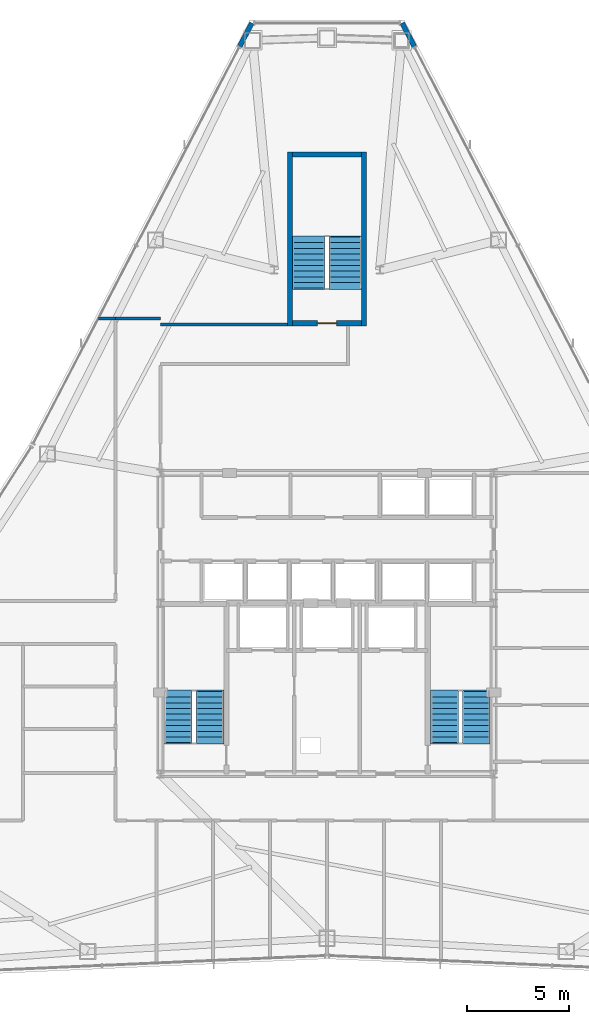
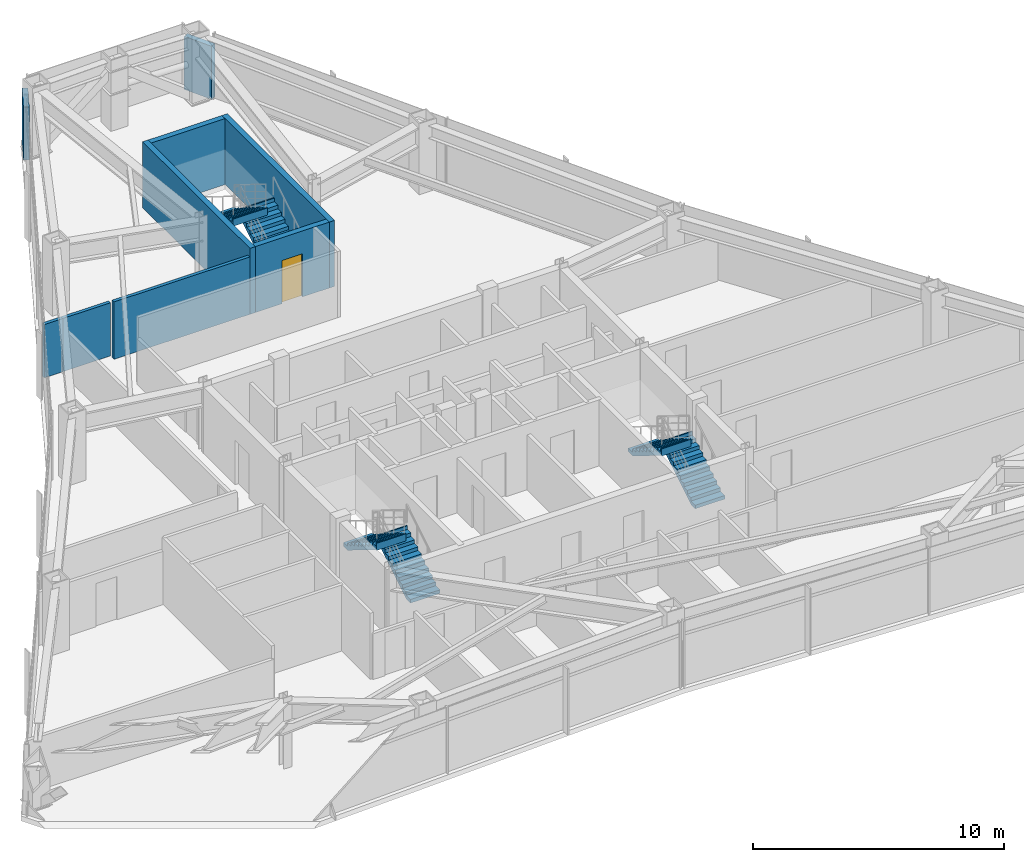
# One storey, part 12 of 13: 9 walls, 6 stair flights, 1 door, 1 opening, 3 elements without a shape of their own.
"""IFC4 building model written with IfcOpenShell, lengths in metres."""

from ifc_helpers import new_model, si_unit, direction, frame, frame_2d, origin, place, context, subcontext, project, spatial, polyline, rectangle, outline, extrude, material, layer, layer_set, type_object, element, fill, aggregate, save


model = new_model("IFC4")

# Units and contexts
model_context = context("Model", 3, precision=1e-05, world=origin(), true_north=direction((0.0, 1.0)))
body_context = subcontext(model_context, "Body", "Model", "MODEL_VIEW")
ifc_project = project(units=[si_unit("LENGTHUNIT", "METRE"), si_unit("AREAUNIT", "SQUARE_METRE"), si_unit("VOLUMEUNIT", "CUBIC_METRE"), si_unit("PLANEANGLEUNIT", "RADIAN"), si_unit("MASSUNIT", "GRAM", prefix="KILO")], contexts=[model_context])

# Site, building, storey
site_placement = place(None, origin())
site = spatial("IfcSite", under=ifc_project, at=site_placement, CompositionType="ELEMENT")
building_placement = place(site_placement, origin())
building = spatial("IfcBuilding", under=site, at=building_placement, Name="Varakhsha Concourse Tower", CompositionType="ELEMENT")
storey_placement = place(building_placement, frame((0.0, 0.0, 189.60009765625)))
storey = spatial("IfcBuildingStorey", under=building, at=storey_placement, Name="L54", CompositionType="ELEMENT", Elevation=189.60009765625)

# Walls
ifc_material_1 = material(Name="Concrete fc 45 MPa", Category="concrete")
ifc_layer_1 = layer(ifc_material_1, 0.239990234375, Name="WL-EXT-CRN-240")
ifc_layer_set_1 = layer_set([ifc_layer_1], Name="Concrete fc 45 MPa")
wall_type_1 = type_object("IfcWallType", Name="WL-EXT-CRN-240", PredefinedType="SHEAR", material=ifc_layer_set_1)
for number, where, z_axis, x_axis, name in (
    (1, (36.30078125, 53.345458984375, 0.0), (0.0, 0.0, 1.0), (-0.460997519365, -0.8874014239, 0.0), "L54 Wind-Corner Shoulder Wall F2"),
    (2, (44.2978515625, 52.193115234375, 0.0), (0.0, 0.0, 1.0), (-0.460997519365, 0.8874014239, 0.0), "L54 Wind-Corner Shoulder Wall F9"),
):
    element("IfcWall", number, at=place(storey_placement, frame(where, z_axis=z_axis, x_axis=x_axis)), inside=storey, type_object=wall_type_1, Name=name, PredefinedType="SHEAR", context=body_context, shape_type="SweptSolid", body=[
        extrude(rectangle(XDim=1.298583984375, YDim=0.239990234375, at=frame_2d((0.6494140625, 0.0))), origin(), (0.0, 0.0, 1.0), 2.5830078125),
    ])
ifc_material_2 = material(Name="Fire-Rated Type X Gypsum Partition Assembly", Category="gypsum")
ifc_layer_2 = layer(ifc_material_2, 0.14990234375, Name="WL-PART-150")
ifc_layer_set_2 = layer_set([ifc_layer_2], Name="Fire-Rated Type X Gypsum Partition Assembly")
wall_type_2 = type_object("IfcWallType", Name="WL-PART-150", PredefinedType="PARTITIONING", material=ifc_layer_set_2)
wall_1_placement = place(storey_placement, frame((29.60009765625, 38.800048828125, 0.0), z_axis=(0.0, 0.0, 1.0), x_axis=(1.0, 0.0, 0.0)))
element("IfcWall", 3, at=wall_1_placement, inside=storey, type_object=wall_type_2, Name="L54 Wall CRW-NCAP-L54", PredefinedType="PARTITIONING", context=body_context, shape_type="SweptSolid", body=[
    extrude(rectangle(XDim=2.199951171875, YDim=0.14990234375, at=frame_2d((1.10009765625, 0.0))), origin(), (0.0, 0.0, 1.0), 2.5888671875),
])
wall_2_placement = place(storey_placement, frame((28.7470703125, 38.800048828125, 0.0), z_axis=(0.0, 0.0, 1.0), x_axis=(1.0, 0.0, 0.0)))
element("IfcWall", 4, at=wall_2_placement, inside=storey, type_object=wall_type_2, Name="L54 Wall ODIV-NWT-L54", PredefinedType="PARTITIONING", context=body_context, shape_type="SweptSolid", body=[
    extrude(rectangle(XDim=0.85302734375, YDim=0.14990234375, at=frame_2d((0.426513671875, 0.0))), origin(), (0.0, 0.0, 1.0), 2.5888671875),
])
wall_3_placement = place(storey_placement, frame((31.800048828125, 38.52490234375, 0.0), z_axis=(0.0, 0.0, 1.0), x_axis=(1.0, 0.0, 0.0)))
element("IfcWall", 5, at=wall_3_placement, inside=storey, type_object=wall_type_2, Name="L54 Wall STLK-N-L54", PredefinedType="PARTITIONING", context=body_context, shape_type="SweptSolid", body=[
    extrude(rectangle(XDim=6.25, YDim=0.14990234375, at=frame_2d((3.125, 0.0))), origin(), (0.0, 0.0, 1.0), 2.79296875),
])
ifc_layer_3 = layer(ifc_material_1, 0.25, Name="WL-STAIR-250")
ifc_layer_set_3 = layer_set([ifc_layer_3], Name="Concrete fc 45 MPa")
wall_type_3 = type_object("IfcWallType", Name="WL-STAIR-250", PredefinedType="SHEAR", material=ifc_layer_set_3)
for number, where, z_axis, x_axis, name in (
    (6, (38.175048828125, 38.449951171875, 0.0), (0.0, 0.0, 1.0), (0.0, 1.0, 0.0), "L54 Wall SWALL-ST5-W-L54"),
    (7, (41.824951171875, 38.449951171875, 0.0), (0.0, 0.0, 1.0), (0.0, 1.0, 0.0), "L54 Wall SWALL-ST5-E-L54"),
):
    element("IfcWall", number, at=place(storey_placement, frame(where, z_axis=z_axis, x_axis=x_axis)), inside=storey, type_object=wall_type_3, Name=name, PredefinedType="SHEAR", context=body_context, shape_type="SweptSolid", body=[
        extrude(rectangle(XDim=8.550048828125, YDim=0.25, at=frame_2d((4.27490234375, 0.0))), origin(), (0.0, 0.0, 1.0), 3.2099609375),
    ])

# Wall, opening, door
wall_4_placement = place(storey_placement, frame((38.300048828125, 38.574951171875, 0.0), z_axis=(0.0, 0.0, 1.0), x_axis=(1.0, 0.0, 0.0)))
wall_4 = element("IfcWall", 8, at=wall_4_placement, inside=storey, type_object=wall_type_3, Name="L54 Wall SWALL-ST5-S-L54", PredefinedType="SHEAR", context=body_context, shape_type="SweptSolid", body=[
    extrude(rectangle(XDim=3.39990234375, YDim=0.25, at=frame_2d((1.699951171875, 0.0))), origin(), (0.0, 0.0, 1.0), 3.2099609375),
])
opening_placement = place(wall_4_placement, frame((1.22509765625, 0.0, 0.0)))
opening = element("IfcOpeningElement", 9, at=opening_placement, cuts=wall_4, Name="Opening DF-03", PredefinedType="OPENING", context=body_context, shape_type="SweptSolid", body=[
    extrude(rectangle(XDim=0.949951171875, YDim=2.10009765625, at=frame_2d((0.47509765625, 1.050048828125))), frame((0.0, 0.135009765625, 0.0), z_axis=(0.0, -1.0, 0.0), x_axis=(1.0, 0.0, 0.0)), (0.0, 0.0, 1.0), 0.27001953125),
])
ifc_material_3 = material(Name="Hollow Galvanised Steel Fire Door Assembly", Category="steel")
door_type = type_object("IfcDoorType", Name="DR-FD90-950", OperationType="NOTDEFINED", PredefinedType="DOOR", material=ifc_material_3)
door_placement = place(opening_placement, origin())
door = element("IfcDoor", 10, at=door_placement, inside=storey, type_object=door_type, Name="L54 Stair ST5 Fire Door", OperationType="SINGLE_SWING_RIGHT", OverallHeight=2.10009765625, OverallWidth=0.949951171875, PredefinedType="DOOR", context=body_context, shape_type="SweptSolid", body=[
    extrude(rectangle(XDim=0.949951171875, YDim=2.10009765625, at=frame_2d((0.47509765625, 1.050048828125))), frame((0.0, 0.02490234375, 0.0), z_axis=(0.0, -1.0, 0.0), x_axis=(1.0, 0.0, 0.0)), (0.0, 0.0, 1.0), 0.050048828125),
])
fill(opening, door)

# Wall
wall_5_placement = place(storey_placement, frame((38.300048828125, 46.875, 0.0), z_axis=(0.0, 0.0, 1.0), x_axis=(1.0, 0.0, 0.0)))
element("IfcWall", 11, at=wall_5_placement, inside=storey, type_object=wall_type_3, Name="L54 Wall SWALL-ST5-N-L54", PredefinedType="SHEAR", context=body_context, shape_type="SweptSolid", body=[
    extrude(rectangle(XDim=3.39990234375, YDim=0.25, at=frame_2d((1.699951171875, 0.0))), origin(), (0.0, 0.0, 1.0), 3.2099609375),
])

# Stair, stair flights
stair_type_1 = type_object("IfcStairType", Name="ST-DOGLEG-1360", PredefinedType="HALF_TURN_STAIR", material=ifc_material_1)
stair_1_placement = place(storey_placement, origin())
stair_1 = element("IfcStair", 12, at=stair_1_placement, inside=storey, type_object=stair_type_1, Name="L54 Protected Exit Stair ST1", PredefinedType="HALF_TURN_STAIR")
stair_flight_type_1 = type_object("IfcStairFlightType", Name="STF-1360-R1725", PredefinedType="STRAIGHT", material=ifc_material_1)
stair_flight_1_placement = place(storey_placement, frame((34.239990234375, 17.93994140625, 0.0), z_axis=(0.0, 0.0, 1.0), x_axis=(0.0, 1.0, 0.0)))
stair_flight_1 = element("IfcStairFlight", 13, at=stair_flight_1_placement, type_object=stair_flight_type_1, Name="ST1 flight 1", NumberOfRisers=10, NumberOfTreads=9, PredefinedType="STRAIGHT", RiserHeight=0.1725, TreadLength=0.28, context=body_context, shape_type="SweptSolid", body=[
    extrude(outline(polyline([(-0.06005859375, 0.0), (-0.06005859375, 0.172607421875), (0.0, 0.172607421875), (0.280029296875, 0.172607421875), (0.280029296875, 0.344970703125), (0.56005859375, 0.344970703125), (0.56005859375, 0.517578125), (0.840087890625, 0.517578125), (0.840087890625, 0.68994140625), (1.1201171875, 0.68994140625), (1.1201171875, 0.862548828125), (1.39990234375, 0.862548828125), (1.39990234375, 1.034912109375), (1.679931640625, 1.034912109375), (1.679931640625, 1.20751953125), (1.9599609375, 1.20751953125), (1.9599609375, 1.3798828125), (2.239990234375, 1.3798828125), (2.239990234375, 1.552490234375), (2.52001953125, 1.552490234375), (2.52001953125, 1.72509765625), (2.580078125, 1.72509765625), (2.580078125, 1.37646484375), (2.52001953125, 1.37646484375), (0.285888671875, 0.0), (-0.06005859375, 0.0)])), frame((0.0, 0.68017578125, 0.0), z_axis=(0.0, -1.0, 0.0), x_axis=(1.0, 0.0, 0.0)), (0.0, 0.0, 1.0), 1.360107421875),
])
stair_flight_2_placement = place(storey_placement, frame((32.679931640625, 20.4599609375, 1.724853515625), z_axis=(0.0, 0.0, 1.0), x_axis=(0.0, -1.0, 0.0)))
stair_flight_2 = element("IfcStairFlight", 14, at=stair_flight_2_placement, type_object=stair_flight_type_1, Name="ST1 flight 2", NumberOfRisers=10, NumberOfTreads=9, PredefinedType="STRAIGHT", RiserHeight=0.1725, TreadLength=0.28, context=body_context, shape_type="SweptSolid", body=[
    extrude(outline(polyline([(-0.06005859375, 0.0), (-0.06005859375, 0.172607421875), (0.0, 0.172607421875), (0.280029296875, 0.172607421875), (0.280029296875, 0.344970703125), (0.56005859375, 0.344970703125), (0.56005859375, 0.517578125), (0.840087890625, 0.517578125), (0.840087890625, 0.68994140625), (1.1201171875, 0.68994140625), (1.1201171875, 0.862548828125), (1.39990234375, 0.862548828125), (1.39990234375, 1.034912109375), (1.679931640625, 1.034912109375), (1.679931640625, 1.20751953125), (1.9599609375, 1.20751953125), (1.9599609375, 1.3798828125), (2.239990234375, 1.3798828125), (2.239990234375, 1.552490234375), (2.52001953125, 1.552490234375), (2.52001953125, 1.72509765625), (2.580078125, 1.72509765625), (2.580078125, 1.37646484375), (2.52001953125, 1.37646484375), (0.285888671875, 0.0), (-0.06005859375, 0.0)])), frame((0.0, 0.68017578125, 0.0), z_axis=(0.0, -1.0, 0.0), x_axis=(1.0, 0.0, 0.0)), (0.0, 0.0, 1.0), 1.360107421875),
])
aggregate(stair_1, [stair_flight_1, stair_flight_2])

stair_2_placement = place(storey_placement, origin())
stair_2 = element("IfcStair", 15, at=stair_2_placement, inside=storey, type_object=stair_type_1, Name="L54 Protected Exit Stair ST2", PredefinedType="HALF_TURN_STAIR")
stair_flight_3_placement = place(storey_placement, frame((47.340087890625, 17.93994140625, 0.0), z_axis=(0.0, 0.0, 1.0), x_axis=(0.0, 1.0, 0.0)))
stair_flight_3 = element("IfcStairFlight", 16, at=stair_flight_3_placement, type_object=stair_flight_type_1, Name="ST2 flight 1", NumberOfRisers=10, NumberOfTreads=9, PredefinedType="STRAIGHT", RiserHeight=0.1725, TreadLength=0.28, context=body_context, shape_type="SweptSolid", body=[
    extrude(outline(polyline([(-0.06005859375, 0.0), (-0.06005859375, 0.172607421875), (0.0, 0.172607421875), (0.280029296875, 0.172607421875), (0.280029296875, 0.344970703125), (0.56005859375, 0.344970703125), (0.56005859375, 0.517578125), (0.840087890625, 0.517578125), (0.840087890625, 0.68994140625), (1.1201171875, 0.68994140625), (1.1201171875, 0.862548828125), (1.39990234375, 0.862548828125), (1.39990234375, 1.034912109375), (1.679931640625, 1.034912109375), (1.679931640625, 1.20751953125), (1.9599609375, 1.20751953125), (1.9599609375, 1.3798828125), (2.239990234375, 1.3798828125), (2.239990234375, 1.552490234375), (2.52001953125, 1.552490234375), (2.52001953125, 1.72509765625), (2.580078125, 1.72509765625), (2.580078125, 1.37646484375), (2.52001953125, 1.37646484375), (0.285888671875, 0.0), (-0.06005859375, 0.0)])), frame((0.0, 0.68017578125, 0.0), z_axis=(0.0, -1.0, 0.0), x_axis=(1.0, 0.0, 0.0)), (0.0, 0.0, 1.0), 1.360107421875),
])
stair_flight_4_placement = place(storey_placement, frame((45.780029296875, 20.4599609375, 1.724853515625), z_axis=(0.0, 0.0, 1.0), x_axis=(0.0, -1.0, 0.0)))
stair_flight_4 = element("IfcStairFlight", 17, at=stair_flight_4_placement, type_object=stair_flight_type_1, Name="ST2 flight 2", NumberOfRisers=10, NumberOfTreads=9, PredefinedType="STRAIGHT", RiserHeight=0.1725, TreadLength=0.28, context=body_context, shape_type="SweptSolid", body=[
    extrude(outline(polyline([(-0.06005859375, 0.0), (-0.06005859375, 0.172607421875), (0.0, 0.172607421875), (0.280029296875, 0.172607421875), (0.280029296875, 0.344970703125), (0.56005859375, 0.344970703125), (0.56005859375, 0.517578125), (0.840087890625, 0.517578125), (0.840087890625, 0.68994140625), (1.1201171875, 0.68994140625), (1.1201171875, 0.862548828125), (1.39990234375, 0.862548828125), (1.39990234375, 1.034912109375), (1.679931640625, 1.034912109375), (1.679931640625, 1.20751953125), (1.9599609375, 1.20751953125), (1.9599609375, 1.3798828125), (2.239990234375, 1.3798828125), (2.239990234375, 1.552490234375), (2.52001953125, 1.552490234375), (2.52001953125, 1.72509765625), (2.580078125, 1.72509765625), (2.580078125, 1.37646484375), (2.52001953125, 1.37646484375), (0.285888671875, 0.0), (-0.06005859375, 0.0)])), frame((0.0, 0.68017578125, 0.0), z_axis=(0.0, -1.0, 0.0), x_axis=(1.0, 0.0, 0.0)), (0.0, 0.0, 1.0), 1.360107421875),
])
aggregate(stair_2, [stair_flight_3, stair_flight_4])

stair_type_2 = type_object("IfcStairType", Name="ST-DOGLEG-1600", PredefinedType="HALF_TURN_STAIR", material=ifc_material_1)
stair_3_placement = place(storey_placement, origin())
stair_3 = element("IfcStair", 18, at=stair_3_placement, inside=storey, type_object=stair_type_2, Name="L54 Protected Exit Stair ST5", PredefinedType="HALF_TURN_STAIR")
stair_flight_type_2 = type_object("IfcStairFlightType", Name="STF-1600-R1725", PredefinedType="STRAIGHT", material=ifc_material_1)
stair_flight_5_placement = place(storey_placement, frame((40.89990234375, 40.300048828125, 0.0), z_axis=(0.0, 0.0, 1.0), x_axis=(0.0, 1.0, 0.0)))
stair_flight_5 = element("IfcStairFlight", 19, at=stair_flight_5_placement, type_object=stair_flight_type_2, Name="ST5 flight 1", NumberOfRisers=10, NumberOfTreads=9, PredefinedType="STRAIGHT", RiserHeight=0.1725, TreadLength=0.28, context=body_context, shape_type="SweptSolid", body=[
    extrude(outline(polyline([(-0.06005859375, 0.0), (-0.06005859375, 0.172607421875), (0.0, 0.172607421875), (0.280029296875, 0.172607421875), (0.280029296875, 0.344970703125), (0.56005859375, 0.344970703125), (0.56005859375, 0.517578125), (0.840087890625, 0.517578125), (0.840087890625, 0.68994140625), (1.1201171875, 0.68994140625), (1.1201171875, 0.862548828125), (1.39990234375, 0.862548828125), (1.39990234375, 1.034912109375), (1.679931640625, 1.034912109375), (1.679931640625, 1.20751953125), (1.9599609375, 1.20751953125), (1.9599609375, 1.3798828125), (2.239990234375, 1.3798828125), (2.239990234375, 1.552490234375), (2.52001953125, 1.552490234375), (2.52001953125, 1.72509765625), (2.580078125, 1.72509765625), (2.580078125, 1.37646484375), (2.52001953125, 1.37646484375), (0.285888671875, 0.0), (-0.06005859375, 0.0)])), frame((0.0, 0.800048828125, 0.0), z_axis=(0.0, -1.0, 0.0), x_axis=(1.0, 0.0, 0.0)), (0.0, 0.0, 1.0), 1.60009765625),
])
stair_flight_6_placement = place(storey_placement, frame((39.10009765625, 42.820068359375, 1.724853515625), z_axis=(0.0, 0.0, 1.0), x_axis=(0.0, -1.0, 0.0)))
stair_flight_6 = element("IfcStairFlight", 20, at=stair_flight_6_placement, type_object=stair_flight_type_2, Name="ST5 flight 2", NumberOfRisers=10, NumberOfTreads=9, PredefinedType="STRAIGHT", RiserHeight=0.1725, TreadLength=0.28, context=body_context, shape_type="SweptSolid", body=[
    extrude(outline(polyline([(-0.06005859375, 0.0), (-0.06005859375, 0.172607421875), (0.0, 0.172607421875), (0.280029296875, 0.172607421875), (0.280029296875, 0.344970703125), (0.56005859375, 0.344970703125), (0.56005859375, 0.517578125), (0.840087890625, 0.517578125), (0.840087890625, 0.68994140625), (1.1201171875, 0.68994140625), (1.1201171875, 0.862548828125), (1.39990234375, 0.862548828125), (1.39990234375, 1.034912109375), (1.679931640625, 1.034912109375), (1.679931640625, 1.20751953125), (1.9599609375, 1.20751953125), (1.9599609375, 1.3798828125), (2.239990234375, 1.3798828125), (2.239990234375, 1.552490234375), (2.52001953125, 1.552490234375), (2.52001953125, 1.72509765625), (2.580078125, 1.72509765625), (2.580078125, 1.37646484375), (2.52001953125, 1.37646484375), (0.285888671875, 0.0), (-0.06005859375, 0.0)])), frame((0.0, 0.800048828125, 0.0), z_axis=(0.0, -1.0, 0.0), x_axis=(1.0, 0.0, 0.0)), (0.0, 0.0, 1.0), 1.60009765625),
])
aggregate(stair_3, [stair_flight_5, stair_flight_6])

save(model, "model.ifc")
